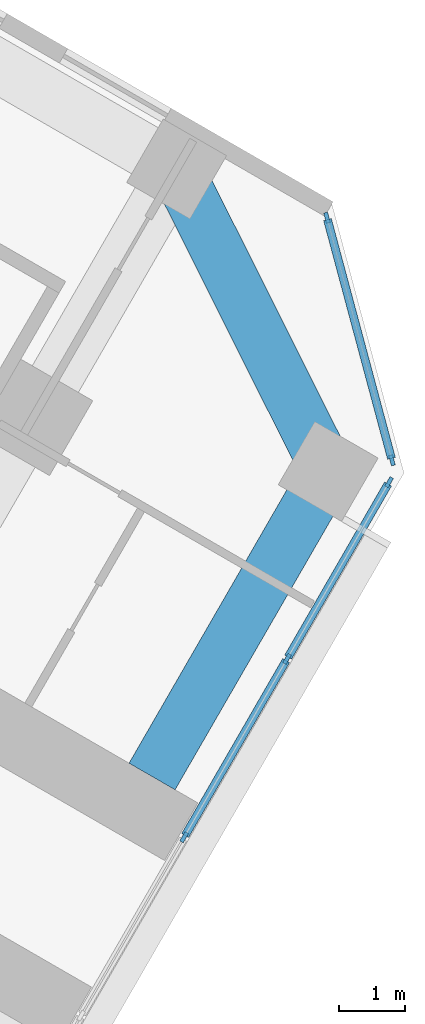
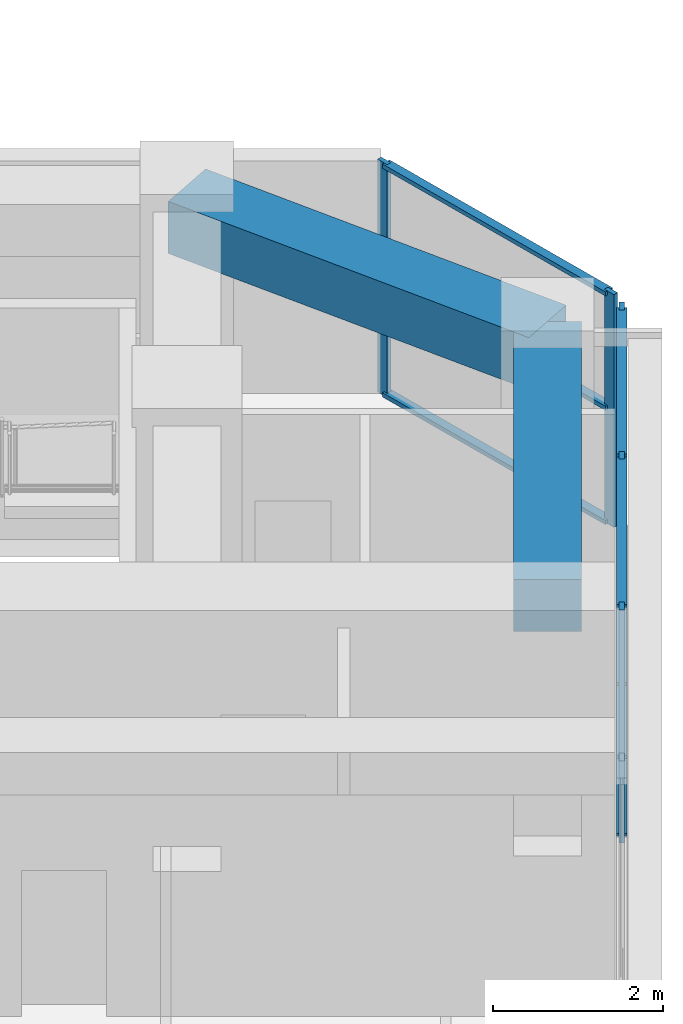
# One storey, part 8 of 21: 12 members, 2 beams, 2 elements without a shape of their own.
"""IFC4 building model written with IfcOpenShell, lengths in metres."""

from ifc_helpers import new_model, si_unit, direction, frame, origin, origin_2d, place, context, subcontext, project, spatial, rectangle, extrude, material, material_profile, profile_set, type_object, element, aggregate, save


model = new_model("IFC4")

# Units and contexts
model_context = context("Model", 3, precision=1e-05, world=origin(), true_north=direction((0.0, 1.0)))
body_context = subcontext(model_context, "Body", "Model", "MODEL_VIEW")
ifc_project = project(units=[si_unit("LENGTHUNIT", "METRE"), si_unit("AREAUNIT", "SQUARE_METRE"), si_unit("VOLUMEUNIT", "CUBIC_METRE"), si_unit("PLANEANGLEUNIT", "RADIAN"), si_unit("MASSUNIT", "GRAM", prefix="KILO")], contexts=[model_context])

# Site, building, storey
site_placement = place(None, origin())
site = spatial("IfcSite", under=ifc_project, at=site_placement, CompositionType="ELEMENT")
building_placement = place(site_placement, origin())
building = spatial("IfcBuilding", under=site, at=building_placement, Name="Kosmar Iwan School Tower", CompositionType="ELEMENT")
storey_placement = place(building_placement, frame((0.0, 0.0, 39.39990234375)))
storey = spatial("IfcBuildingStorey", under=building, at=storey_placement, Name="L08", CompositionType="ELEMENT", Elevation=39.39990234375)

# Curtain wall, members
ifc_material_1 = material(Name="Dark glass in black aluminium frame", Category="aluminium")
curtain_wall_type_1 = type_object("IfcCurtainWallType", Name="Tower curtain wall dark glass", PredefinedType="USERDEFINED", material=ifc_material_1)
curtain_wall_1_placement = place(storey_placement, origin())
curtain_wall_1 = element("IfcCurtainWall", 1, at=curtain_wall_1_placement, inside=storey, type_object=curtain_wall_type_1, Name="Curtain wall L08-F03", ObjectType="UNITISED CURTAIN WALL", PredefinedType="USERDEFINED")
ifc_material_2 = material(Name="Black anodised aluminium", Category="aluminium")
ifc_material_profile_1 = material_profile(ifc_material_2, rectangle(XDim=0.06005859375, YDim=0.159912109375, at=origin_2d()), Name="MULLION 60x160")
ifc_profile_set_1 = profile_set([ifc_material_profile_1], Name="Black anodised aluminium")
member_type_1 = type_object("IfcMemberType", Name="Mullion 60x160", PredefinedType="MULLION", material=ifc_profile_set_1)
member_1_placement = place(storey_placement, frame((30.631103515625, -15.8955078125, 0.0), z_axis=(0.0, 0.0, 1.0), x_axis=(-0.866025405329, 0.499999997325, 0.0)))
member_1 = element("IfcMember", 2, at=member_1_placement, type_object=member_type_1, Name="CW1 mullion 4", PredefinedType="MULLION", context=body_context, shape_type="SweptSolid", body=[
    extrude(rectangle(XDim=0.06005859375, YDim=0.159912109375, at=origin_2d()), origin(), (0.0, 0.0, 1.0), 3.35009765625),
])
member_2_placement = place(storey_placement, frame((32.1806640625, -13.21142578125, 0.0), z_axis=(0.0, 0.0, 1.0), x_axis=(-0.866025405329, 0.499999997325, 0.0)))
member_2 = element("IfcMember", 3, at=member_2_placement, type_object=member_type_1, Name="CW1 mullion 5", PredefinedType="MULLION", context=body_context, shape_type="SweptSolid", body=[
    extrude(rectangle(XDim=0.06005859375, YDim=0.159912109375, at=origin_2d()), origin(), (0.0, 0.0, 1.0), 3.35009765625),
])
member_3_placement = place(storey_placement, frame((33.71533203125, -10.55322265625, 0.0), z_axis=(0.0, 0.0, 1.0), x_axis=(-0.866025405329, 0.499999997325, 0.0)))
member_3 = element("IfcMember", 4, at=member_3_placement, type_object=member_type_1, Name="CW1 mullion 6", PredefinedType="MULLION", context=body_context, shape_type="SweptSolid", body=[
    extrude(rectangle(XDim=0.06005859375, YDim=0.159912109375, at=origin_2d()), origin(), (0.0, 0.0, 1.0), 3.35009765625),
])

ifc_material_3 = material(Name="Dark glass in black aluminium frame", Category="aluminium")
curtain_wall_type_2 = type_object("IfcCurtainWallType", Name="Chamfer curtain wall dark glass", PredefinedType="USERDEFINED", material=ifc_material_3)
curtain_wall_2_placement = place(storey_placement, origin())
curtain_wall_2 = element("IfcCurtainWall", 5, at=curtain_wall_2_placement, inside=storey, type_object=curtain_wall_type_2, Name="Curtain wall L08-F04", ObjectType="FACETED CURTAIN WALL", PredefinedType="USERDEFINED")
member_4_placement = place(storey_placement, frame((33.7587890625, -10.2236328125, 0.0), z_axis=(0.0, 0.0, 1.0), x_axis=(-0.965925875495, -0.258818861462, 0.0)))
member_4 = element("IfcMember", 6, at=member_4_placement, type_object=member_type_1, Name="CW2 mullion 1", PredefinedType="MULLION", context=body_context, shape_type="SweptSolid", body=[
    extrude(rectangle(XDim=0.06005859375, YDim=0.159912109375, at=origin_2d()), origin(), (0.0, 0.0, 1.0), 3.35009765625),
])
member_5_placement = place(storey_placement, frame((32.78076171875, -6.5732421875, 0.0), z_axis=(0.0, 0.0, 1.0), x_axis=(-0.965925875495, -0.258818861462, 0.0)))
member_5 = element("IfcMember", 7, at=member_5_placement, type_object=member_type_1, Name="CW2 mullion 2", PredefinedType="MULLION", context=body_context, shape_type="SweptSolid", body=[
    extrude(rectangle(XDim=0.06005859375, YDim=0.159912109375, at=origin_2d()), origin(), (0.0, 0.0, 1.0), 3.35009765625),
])

# Beams
ifc_material_4 = material(Name="Concrete C50/60", Category="concrete")
ifc_material_profile_2 = material_profile(ifc_material_4, rectangle(XDim=0.800048828125, YDim=0.75, at=origin_2d()), Name="RC 800x750")
ifc_profile_set_2 = profile_set([ifc_material_profile_2], Name="Concrete C50/60")
beam_type = type_object("IfcBeamType", Name="RC tip beam 800x750", PredefinedType="BEAM", material=ifc_profile_set_2)
beam_1_placement = place(storey_placement, frame((30.517822265625, -5.841552734375, 2.97509765625), z_axis=(0.44809604203, -0.893985423325, 0.0), x_axis=(0.893985423325, 0.44809604203, 0.0)))
element("IfcBeam", 8, at=beam_1_placement, inside=storey, type_object=beam_type, Name="Tip beam CL", PredefinedType="BEAM", context=body_context, shape_type="SweptSolid", body=[
    extrude(rectangle(XDim=0.800048828125, YDim=0.75, at=origin_2d()), origin(), (0.0, 0.0, 1.0), 5.08935546875),
])
beam_2_placement = place(storey_placement, frame((32.79833984375, -10.391357421875, 2.97509765625), z_axis=(-0.499973660256, -0.866040610509, 0.0), x_axis=(0.866040610509, -0.499973660256, 0.0)))
element("IfcBeam", 9, at=beam_2_placement, inside=storey, type_object=beam_type, Name="Tip beam CL to corridor wall", PredefinedType="BEAM", context=body_context, shape_type="SweptSolid", body=[
    extrude(rectangle(XDim=0.800048828125, YDim=0.75, at=origin_2d()), origin(), (0.0, 0.0, 1.0), 5.300048828125),
])

# Member
ifc_material_5 = material(Name="Black anodised aluminium", Category="aluminium")
ifc_material_profile_3 = material_profile(ifc_material_5, rectangle(XDim=0.1201171875, YDim=0.06005859375, at=origin_2d()), Name="TRANSOM 60x120")
ifc_profile_set_3 = profile_set([ifc_material_profile_3], Name="Black anodised aluminium")
member_type_2 = type_object("IfcMemberType", Name="Transom 60x120", PredefinedType="USERDEFINED", material=ifc_profile_set_3)
member_6_placement = place(storey_placement, frame((30.64599609375, -15.869384765625, 0.030029296875), z_axis=(0.500035348339, 0.866004994449, 0.0), x_axis=(-0.866004994449, 0.500035348339, 0.0)))
member_6 = element("IfcMember", 10, at=member_6_placement, type_object=member_type_2, Name="CW1 transom 4.1", ObjectType="TRANSOM", PredefinedType="USERDEFINED", context=body_context, shape_type="SweptSolid", body=[
    extrude(rectangle(XDim=0.1201171875, YDim=0.06005859375, at=origin_2d()), origin(), (0.0, 0.0, 1.0), 3.039306640625),
])

member_7_placement = place(storey_placement, frame((30.64599609375, -15.869384765625, 3.320068359375), z_axis=(0.500035348339, 0.866004994449, 0.0), x_axis=(-0.866004994449, 0.500035348339, 0.0)))
member_7 = element("IfcMember", 11, at=member_7_placement, type_object=member_type_2, Name="CW1 transom 4.2", ObjectType="TRANSOM", PredefinedType="USERDEFINED", context=body_context, shape_type="SweptSolid", body=[
    extrude(rectangle(XDim=0.1201171875, YDim=0.06005859375, at=origin_2d()), origin(), (0.0, 0.0, 1.0), 3.039306640625),
])

member_8_placement = place(storey_placement, frame((32.19580078125, -13.185302734375, 0.030029296875), z_axis=(0.500022102064, 0.866012642776, 0.0), x_axis=(-0.866012642776, 0.500022102064, 0.0)))
member_8 = element("IfcMember", 12, at=member_8_placement, type_object=member_type_2, Name="CW1 transom 5.1", ObjectType="TRANSOM", PredefinedType="USERDEFINED", context=body_context, shape_type="SweptSolid", body=[
    extrude(rectangle(XDim=0.1201171875, YDim=0.06005859375, at=origin_2d()), origin(), (0.0, 0.0, 1.0), 3.009033203125),
])

member_9_placement = place(storey_placement, frame((32.19580078125, -13.185302734375, 3.320068359375), z_axis=(0.500022102064, 0.866012642776, 0.0), x_axis=(-0.866012642776, 0.500022102064, 0.0)))
member_9 = element("IfcMember", 13, at=member_9_placement, type_object=member_type_2, Name="CW1 transom 5.2", ObjectType="TRANSOM", PredefinedType="USERDEFINED", context=body_context, shape_type="SweptSolid", body=[
    extrude(rectangle(XDim=0.1201171875, YDim=0.06005859375, at=origin_2d()), origin(), (0.0, 0.0, 1.0), 3.009033203125),
])

aggregate(curtain_wall_1, [member_1, member_2, member_3, member_6, member_7, member_8, member_9])

member_10_placement = place(storey_placement, frame((33.7509765625, -10.194580078125, 0.030029296875), z_axis=(-0.258843273983, 0.965919333854, 0.0), x_axis=(-0.965919333854, -0.258843273983, 0.0)))
member_10 = element("IfcMember", 14, at=member_10_placement, type_object=member_type_2, Name="CW2 transom 1.1", ObjectType="TRANSOM", PredefinedType="USERDEFINED", context=body_context, shape_type="SweptSolid", body=[
    extrude(rectangle(XDim=0.1201171875, YDim=0.06005859375, at=origin_2d()), origin(), (0.0, 0.0, 1.0), 3.718994140625),
])

member_11_placement = place(storey_placement, frame((33.7509765625, -10.194580078125, 1.675048828125), z_axis=(-0.258843273983, 0.965919333854, 0.0), x_axis=(-0.965919333854, -0.258843273983, 0.0)))
member_11 = element("IfcMember", 15, at=member_11_placement, type_object=member_type_2, Name="CW2 transom 1.2", ObjectType="TRANSOM", PredefinedType="USERDEFINED", context=body_context, shape_type="SweptSolid", body=[
    extrude(rectangle(XDim=0.1201171875, YDim=0.06005859375, at=origin_2d()), origin(), (0.0, 0.0, 1.0), 3.718994140625),
])

member_12_placement = place(storey_placement, frame((33.7509765625, -10.194580078125, 3.320068359375), z_axis=(-0.258843273983, 0.965919333854, 0.0), x_axis=(-0.965919333854, -0.258843273983, 0.0)))
member_12 = element("IfcMember", 16, at=member_12_placement, type_object=member_type_2, Name="CW2 transom 1.3", ObjectType="TRANSOM", PredefinedType="USERDEFINED", context=body_context, shape_type="SweptSolid", body=[
    extrude(rectangle(XDim=0.1201171875, YDim=0.06005859375, at=origin_2d()), origin(), (0.0, 0.0, 1.0), 3.718994140625),
])

aggregate(curtain_wall_2, [member_4, member_5, member_10, member_11, member_12])

save(model, "model.ifc")
